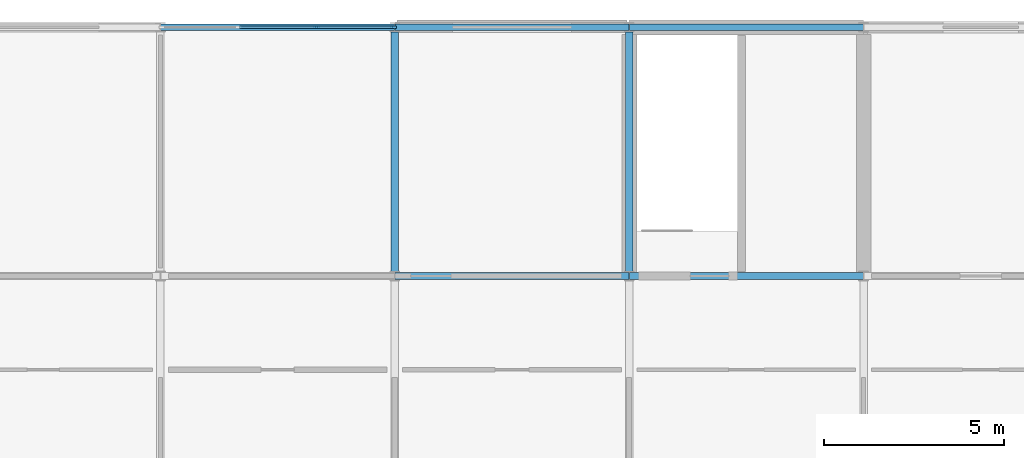
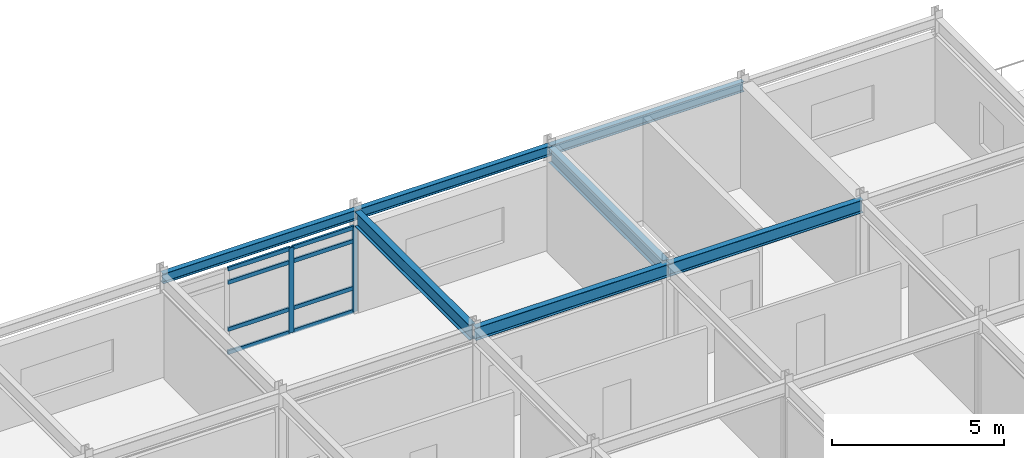
# One storey, part 28 of 57: 10 members, 7 beams, 1 element without a shape of its own.
"""IFC4 building model written with IfcOpenShell, lengths in metres."""

from ifc_helpers import new_model, si_unit, direction, frame, origin, origin_2d, place, context, subcontext, project, spatial, rectangle, i_section, extrude, material, layer, layer_set, material_profile, profile_set, type_object, element, aggregate, save


model = new_model("IFC4")

# Units and contexts
model_context = context("Model", 3, precision=1e-05, world=origin(), true_north=direction((0.0, 1.0)))
body_context = subcontext(model_context, "Body", "Model", "MODEL_VIEW")
ifc_project = project(units=[si_unit("LENGTHUNIT", "METRE"), si_unit("AREAUNIT", "SQUARE_METRE"), si_unit("VOLUMEUNIT", "CUBIC_METRE"), si_unit("PLANEANGLEUNIT", "RADIAN"), si_unit("MASSUNIT", "GRAM", prefix="KILO")], contexts=[model_context])

# Site, building, storey
site_placement = place(None, origin())
site = spatial("IfcSite", under=ifc_project, at=site_placement, CompositionType="ELEMENT")
building_placement = place(site_placement, origin())
building = spatial("IfcBuilding", under=site, at=building_placement, Name="Trelmorton Wharf Fire Station", CompositionType="ELEMENT")
storey_placement = place(building_placement, frame((0.0, 0.0, 13.5)))
storey = spatial("IfcBuildingStorey", under=building, at=storey_placement, Name="L03", CompositionType="ELEMENT", Elevation=13.5)

# Beams
ifc_material_1 = material(Name="Steel Grade 350", Category="steel")
ifc_material_profile_1 = material_profile(ifc_material_1, i_section(OverallWidth=0.18994140625, OverallDepth=0.45703125, WebThickness=0.009033203125, FlangeThickness=0.014404296875, FilletRadius=0.011474609375, at=origin_2d()), Name="460UB74.6")
ifc_profile_set_1 = profile_set([ifc_material_profile_1], Name="Steel Grade 350")
beam_type_1 = type_object("IfcBeamType", Name="BM_460UB75", PredefinedType="BEAM", material=ifc_profile_set_1)
for number, where, z_axis, x_axis, name in (
    (1, (136.50390625, 74.10009765625, 3.401611328125), (1.0, 0.0, 0.0), (0.0, 1.0, 0.0), "BM-L03-0950"),
    (2, (143.00390625, 74.10009765625, 3.401611328125), (1.0, 0.0, 0.0), (0.0, 1.0, 0.0), "BM-L03-0951"),
):
    element("IfcBeam", number, at=place(storey_placement, frame(where, z_axis=z_axis, x_axis=x_axis)), inside=storey, type_object=beam_type_1, Name=name, PredefinedType="BEAM", context=body_context, shape_type="SweptSolid", body=[
        extrude(i_section(OverallWidth=0.18994140625, OverallDepth=0.45703125, WebThickness=0.009033203125, FlangeThickness=0.014404296875, FilletRadius=0.011474609375, at=origin_2d()), origin(), (0.0, 0.0, 1.0), 6.4921875),
    ])
ifc_material_profile_2 = material_profile(ifc_material_1, i_section(OverallWidth=0.208984375, OverallDepth=0.532958984375, WebThickness=0.01025390625, FlangeThickness=0.015625, FilletRadius=0.013916015625, at=origin_2d()), Name="530UB92.4")
ifc_profile_set_2 = profile_set([ifc_material_profile_2], Name="Steel Grade 350")
beam_type_2 = type_object("IfcBeamType", Name="BM_530UB92", PredefinedType="BEAM", material=ifc_profile_set_2)
for number, where, z_axis, x_axis, name in (
    (3, (136.5, 74.22607421875, 3.363525390625), (0.0, 1.0, 0.0), (-1.0, 0.0, 0.0), "BM-L03-1012"),
    (4, (143.0, 74.22607421875, 3.363525390625), (0.0, 1.0, 0.0), (-1.0, 0.0, 0.0), "BM-L03-1018"),
):
    element("IfcBeam", number, at=place(storey_placement, frame(where, z_axis=z_axis, x_axis=x_axis)), inside=storey, type_object=beam_type_2, Name=name, PredefinedType="BEAM", context=body_context, shape_type="SweptSolid", body=[
        extrude(i_section(OverallWidth=0.208984375, OverallDepth=0.532958984375, WebThickness=0.01025390625, FlangeThickness=0.015625, FilletRadius=0.013916015625, at=origin_2d()), origin(), (0.0, 0.0, 1.0), 6.64794921875),
    ])

# Curtain wall, members
ifc_material_2 = material(Name="Anodised aluminium AW-6063", Category="aluminium")
ifc_layer = layer(ifc_material_2, 0.14990234375)
ifc_layer_set = layer_set([ifc_layer], Name="Anodised aluminium AW-6063")
curtain_wall_type = type_object("IfcCurtainWallType", Name="CW_UNIT_A", PredefinedType="USERDEFINED", material=ifc_layer_set)
curtain_wall_placement = place(storey_placement, origin())
curtain_wall = element("IfcCurtainWall", 5, at=curtain_wall_placement, inside=storey, type_object=curtain_wall_type, Name="CW-V4-L03-153", ObjectType="UNITISED CURTAIN WALL", PredefinedType="USERDEFINED")
ifc_material_profile_3 = material_profile(ifc_material_2, rectangle(XDim=0.06494140625, YDim=0.159912109375, at=origin_2d()), Name="ALU-65x160")
ifc_profile_set_3 = profile_set([ifc_material_profile_3], Name="Anodised aluminium AW-6063")
member_type_1 = type_object("IfcMemberType", Name="CWM_65x160", PredefinedType="MULLION", material=ifc_profile_set_3)
member_1_placement = place(storey_placement, frame((134.331787109375, 81.0, 0.0), z_axis=(0.0, 0.0, 1.0), x_axis=(0.0, 1.0, 0.0)))
member_1 = element("IfcMember", 6, at=member_1_placement, type_object=member_type_1, Name="CW3 mullion 3", PredefinedType="MULLION", context=body_context, shape_type="SweptSolid", body=[
    extrude(rectangle(XDim=0.06494140625, YDim=0.159912109375, at=origin_2d()), origin(), (0.0, 0.0, 1.0), 3.02001953125),
])
member_2_placement = place(storey_placement, frame((136.465087890625, 81.0, 0.0), z_axis=(0.0, 0.0, 1.0), x_axis=(0.0, 1.0, 0.0)))
member_2 = element("IfcMember", 7, at=member_2_placement, type_object=member_type_1, Name="CW3 mullion 4", PredefinedType="MULLION", context=body_context, shape_type="SweptSolid", body=[
    extrude(rectangle(XDim=0.06494140625, YDim=0.159912109375, at=origin_2d()), origin(), (0.0, 0.0, 1.0), 3.02001953125),
])
ifc_material_profile_4 = material_profile(ifc_material_2, rectangle(XDim=0.06494140625, YDim=0.139892578125, at=origin_2d()), Name="ALU-65x140")
ifc_profile_set_4 = profile_set([ifc_material_profile_4], Name="Anodised aluminium AW-6063")
member_type_2 = type_object("IfcMemberType", Name="CWT_65x140", PredefinedType="USERDEFINED", material=ifc_profile_set_4)
member_3_placement = place(storey_placement, frame((132.1982421875, 81.0, 0.030029296875), z_axis=(1.0, 0.0, 0.0), x_axis=(0.0, 1.0, 0.0)))
member_3 = element("IfcMember", 8, at=member_3_placement, type_object=member_type_2, Name="CW3 transom 2.1", ObjectType="TRANSOM", PredefinedType="USERDEFINED", context=body_context, shape_type="SweptSolid", body=[
    extrude(rectangle(XDim=0.06494140625, YDim=0.139892578125, at=origin_2d()), origin(), (0.0, 0.0, 1.0), 2.103515625),
])
member_4_placement = place(storey_placement, frame((132.1982421875, 81.0, 0.85009765625), z_axis=(1.0, 0.0, 0.0), x_axis=(0.0, 1.0, 0.0)))
member_4 = element("IfcMember", 9, at=member_4_placement, type_object=member_type_2, Name="CW3 transom 2.2", ObjectType="TRANSOM", PredefinedType="USERDEFINED", context=body_context, shape_type="SweptSolid", body=[
    extrude(rectangle(XDim=0.06494140625, YDim=0.139892578125, at=origin_2d()), origin(), (0.0, 0.0, 1.0), 2.103515625),
])
member_5_placement = place(storey_placement, frame((132.1982421875, 81.0, 2.52001953125), z_axis=(1.0, 0.0, 0.0), x_axis=(0.0, 1.0, 0.0)))
member_5 = element("IfcMember", 10, at=member_5_placement, type_object=member_type_2, Name="CW3 transom 2.3", ObjectType="TRANSOM", PredefinedType="USERDEFINED", context=body_context, shape_type="SweptSolid", body=[
    extrude(rectangle(XDim=0.06494140625, YDim=0.139892578125, at=origin_2d()), origin(), (0.0, 0.0, 1.0), 2.103515625),
])
member_6_placement = place(storey_placement, frame((132.1982421875, 81.0, 2.989990234375), z_axis=(1.0, 0.0, 0.0), x_axis=(0.0, 1.0, 0.0)))
member_6 = element("IfcMember", 11, at=member_6_placement, type_object=member_type_2, Name="CW3 transom 2.4", ObjectType="TRANSOM", PredefinedType="USERDEFINED", context=body_context, shape_type="SweptSolid", body=[
    extrude(rectangle(XDim=0.06494140625, YDim=0.139892578125, at=origin_2d()), origin(), (0.0, 0.0, 1.0), 2.103515625),
])
member_7_placement = place(storey_placement, frame((134.361572265625, 81.0, 0.030029296875), z_axis=(1.0, 0.0, 0.0), x_axis=(0.0, 1.0, 0.0)))
member_7 = element("IfcMember", 12, at=member_7_placement, type_object=member_type_2, Name="CW3 transom 3.1", ObjectType="TRANSOM", PredefinedType="USERDEFINED", context=body_context, shape_type="SweptSolid", body=[
    extrude(rectangle(XDim=0.06494140625, YDim=0.139892578125, at=origin_2d()), origin(), (0.0, 0.0, 1.0), 2.073486328125),
])
member_8_placement = place(storey_placement, frame((134.361572265625, 81.0, 0.85009765625), z_axis=(1.0, 0.0, 0.0), x_axis=(0.0, 1.0, 0.0)))
member_8 = element("IfcMember", 13, at=member_8_placement, type_object=member_type_2, Name="CW3 transom 3.2", ObjectType="TRANSOM", PredefinedType="USERDEFINED", context=body_context, shape_type="SweptSolid", body=[
    extrude(rectangle(XDim=0.06494140625, YDim=0.139892578125, at=origin_2d()), origin(), (0.0, 0.0, 1.0), 2.073486328125),
])
member_9_placement = place(storey_placement, frame((134.361572265625, 81.0, 2.52001953125), z_axis=(1.0, 0.0, 0.0), x_axis=(0.0, 1.0, 0.0)))
member_9 = element("IfcMember", 14, at=member_9_placement, type_object=member_type_2, Name="CW3 transom 3.3", ObjectType="TRANSOM", PredefinedType="USERDEFINED", context=body_context, shape_type="SweptSolid", body=[
    extrude(rectangle(XDim=0.06494140625, YDim=0.139892578125, at=origin_2d()), origin(), (0.0, 0.0, 1.0), 2.073486328125),
])
member_10_placement = place(storey_placement, frame((134.361572265625, 81.0, 2.989990234375), z_axis=(1.0, 0.0, 0.0), x_axis=(0.0, 1.0, 0.0)))
member_10 = element("IfcMember", 15, at=member_10_placement, type_object=member_type_2, Name="CW3 transom 3.4", ObjectType="TRANSOM", PredefinedType="USERDEFINED", context=body_context, shape_type="SweptSolid", body=[
    extrude(rectangle(XDim=0.06494140625, YDim=0.139892578125, at=origin_2d()), origin(), (0.0, 0.0, 1.0), 2.073486328125),
])
aggregate(curtain_wall, [member_1, member_2, member_3, member_4, member_5, member_6, member_7, member_8, member_9, member_10])

# Beams
ifc_material_profile_5 = material_profile(ifc_material_1, i_section(OverallWidth=0.1708984375, OverallDepth=0.35595703125, WebThickness=0.00732421875, FlangeThickness=0.011474609375, FilletRadius=0.011474609375, at=origin_2d()), Name="360UB50.7")
ifc_profile_set_5 = profile_set([ifc_material_profile_5], Name="Steel Grade 350")
beam_type_3 = type_object("IfcBeamType", Name="SP_360UB51", PredefinedType="SPANDREL", material=ifc_profile_set_5)
for number, where, z_axis, x_axis, name in (
    (16, (130.00390625, 81.0, 3.451904296875), (1.0, 0.0, 0.0), (0.0, 1.0, 0.0), "BM-L03-0960"),
    (17, (136.50390625, 81.0, 3.451904296875), (1.0, 0.0, 0.0), (0.0, 1.0, 0.0), "BM-L03-0961"),
    (18, (143.00390625, 81.0, 3.451904296875), (1.0, 0.0, 0.0), (0.0, 1.0, 0.0), "BM-L03-0962"),
):
    element("IfcBeam", number, at=place(storey_placement, frame(where, z_axis=z_axis, x_axis=x_axis)), inside=storey, type_object=beam_type_3, Name=name, PredefinedType="SPANDREL", context=body_context, shape_type="SweptSolid", body=[
        extrude(i_section(OverallWidth=0.1708984375, OverallDepth=0.35595703125, WebThickness=0.00732421875, FlangeThickness=0.011474609375, FilletRadius=0.011474609375, at=origin_2d()), origin(), (0.0, 0.0, 1.0), 6.4921875),
    ])

save(model, "model.ifc")
